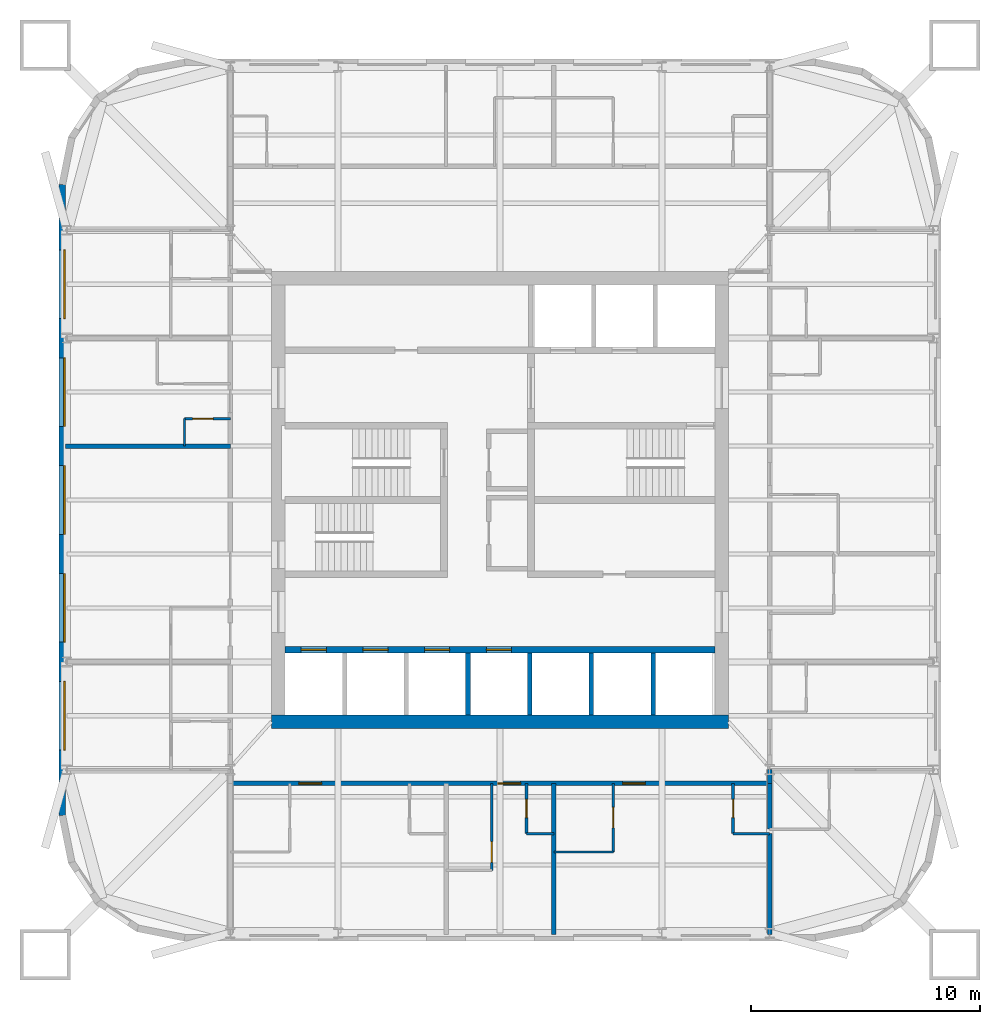
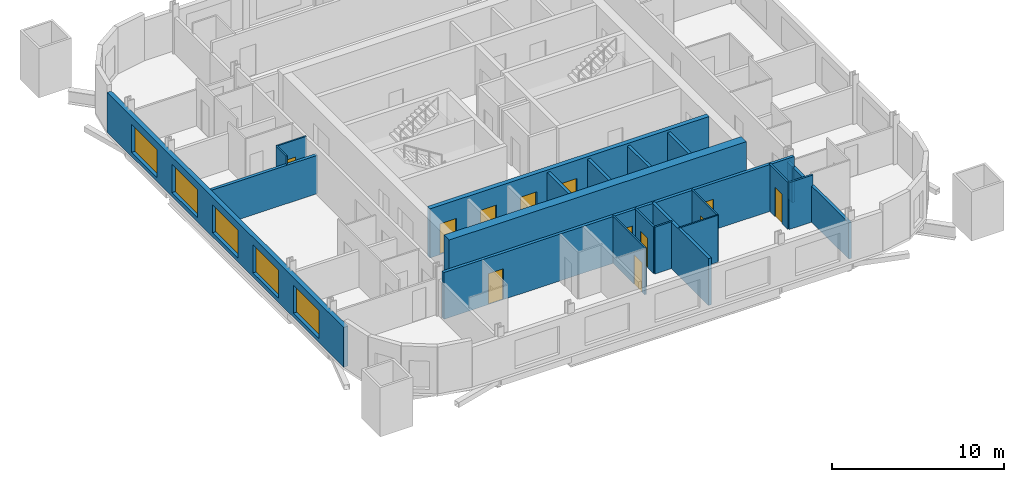
# One storey, part 3 of 8: 22 walls, 12 doors, 5 windows, 17 openings.
"""IFC4 building model written with IfcOpenShell, lengths in metres."""

from ifc_helpers import new_model, si_unit, direction, frame, frame_2d, origin, place, context, subcontext, project, spatial, rectangle, extrude, material, layer, layer_set, type_object, element, fill, save


model = new_model("IFC4")

# Units and contexts
model_context = context("Model", 3, precision=1e-05, world=origin(), true_north=direction((0.0, 1.0)))
body_context = subcontext(model_context, "Body", "Model", "MODEL_VIEW")
ifc_project = project(units=[si_unit("LENGTHUNIT", "METRE"), si_unit("AREAUNIT", "SQUARE_METRE"), si_unit("VOLUMEUNIT", "CUBIC_METRE"), si_unit("PLANEANGLEUNIT", "RADIAN"), si_unit("MASSUNIT", "GRAM", prefix="KILO")], contexts=[model_context])

# Site, building, storey
site_placement = place(None, origin())
site = spatial("IfcSite", under=ifc_project, at=site_placement, CompositionType="ELEMENT")
building_placement = place(site_placement, origin())
building = spatial("IfcBuilding", under=site, at=building_placement, Name="Turquesa Mirador Hotel Tower", CompositionType="ELEMENT")
storey_placement = place(building_placement, frame((0.0, 0.0, 168.800048828125)))
storey = spatial("IfcBuildingStorey", under=building, at=storey_placement, Name="L45", CompositionType="ELEMENT", Elevation=168.800048828125)

# Wall
ifc_material_1 = material(Name="Gypsum board on steel studs", Category="steel")
ifc_layer_1 = layer(ifc_material_1, 0.10009765625)
ifc_layer_set_1 = layer_set([ifc_layer_1], Name="BATHROOM WALL 100")
wall_type_1 = type_object("IfcWallType", Name="BATHROOM WALL 100", PredefinedType="PARTITIONING", material=ifc_layer_set_1)
wall_1_placement = place(storey_placement, frame((57.360107421875, 29.60009765625, 0.0), z_axis=(0.0, 0.0, 1.0), x_axis=(1.0, 0.0, 0.0)))
element("IfcWall", 1, at=wall_1_placement, inside=storey, type_object=wall_type_1, Name="Partition L45 010", PredefinedType="PARTITIONING", context=body_context, shape_type="SweptSolid", body=[
    extrude(rectangle(XDim=2.599853515625, YDim=0.10009765625, at=frame_2d((1.2998046875, 0.0))), origin(), (0.0, 0.0, 1.0), 3.329833984375),
])

# Wall, opening, door
wall_2_placement = place(storey_placement, frame((41.199951171875, 48.56005859375, 0.0), z_axis=(0.0, 0.0, 1.0), x_axis=(1.0, 0.0, 0.0)))
wall_2 = element("IfcWall", 2, at=wall_2_placement, inside=storey, type_object=wall_type_1, Name="Partition L45 032", PredefinedType="PARTITIONING", context=body_context, shape_type="SweptSolid", body=[
    extrude(rectangle(XDim=2.0, YDim=0.10009765625, at=frame_2d((1.0, 0.0))), origin(), (0.0, 0.0, 1.0), 3.329833984375),
])
opening_1_placement = place(wall_2_placement, frame((0.35009765625, 0.0, 0.0)))
opening_1 = element("IfcOpeningElement", 3, at=opening_1_placement, cuts=wall_2, Name="Opening D06", PredefinedType="OPENING", context=body_context, shape_type="SweptSolid", body=[
    extrude(rectangle(XDim=0.89990234375, YDim=2.10009765625, at=frame_2d((0.449951171875, 1.050048828125))), frame((0.0, 0.06005859375, 0.0), z_axis=(0.0, -1.0, 0.0), x_axis=(1.0, 0.0, 0.0)), (0.0, 0.0, 1.0), 0.1201171875),
])
ifc_material_2 = material(Name="Laminate door", Category="wood")
door_type_1 = type_object("IfcDoorType", Name="DOOR 900X2100 WC", OperationType="SINGLE_SWING_LEFT", PredefinedType="DOOR", material=ifc_material_2)
door_1_placement = place(opening_1_placement, origin())
door_1 = element("IfcDoor", 4, at=door_1_placement, inside=storey, type_object=door_type_1, Name="Door 4508W", OperationType="SINGLE_SWING_LEFT", OverallHeight=2.10009765625, OverallWidth=0.89990234375, PredefinedType="DOOR", context=body_context, shape_type="SweptSolid", body=[
    extrude(rectangle(XDim=0.89990234375, YDim=2.10009765625, at=frame_2d((0.449951171875, 1.050048828125))), frame((0.0, 0.02490234375, 0.0), z_axis=(0.0, -1.0, 0.0), x_axis=(1.0, 0.0, 0.0)), (0.0, 0.0, 1.0), 0.050048828125),
])
fill(opening_1, door_1)

wall_3_placement = place(storey_placement, frame((54.639892578125, 28.800048828125, 0.0), z_axis=(0.0, 0.0, 1.0), x_axis=(0.0, 1.0, 0.0)))
wall_3 = element("IfcWall", 5, at=wall_3_placement, inside=storey, type_object=wall_type_1, Name="Partition L45 040", PredefinedType="PARTITIONING", context=body_context, shape_type="SweptSolid", body=[
    extrude(rectangle(XDim=3.800048828125, YDim=0.10009765625, at=frame_2d((1.89990234375, 0.0))), origin(), (0.0, 0.0, 1.0), 3.329833984375),
])
opening_2_placement = place(wall_3_placement, frame((0.35009765625, 0.0, 0.0)))
opening_2 = element("IfcOpeningElement", 6, at=opening_2_placement, cuts=wall_3, Name="Opening D02", PredefinedType="OPENING", context=body_context, shape_type="SweptSolid", body=[
    extrude(rectangle(XDim=0.89990234375, YDim=2.10009765625, at=frame_2d((0.449951171875, 1.050048828125))), frame((0.0, 0.06005859375, 0.0), z_axis=(0.0, -1.0, 0.0), x_axis=(1.0, 0.0, 0.0)), (0.0, 0.0, 1.0), 0.1201171875),
])
ifc_material_3 = material(Name="Timber veneered door", Category="wood")
door_type_2 = type_object("IfcDoorType", Name="DOOR 900X2100 EN-SUITE", OperationType="SINGLE_SWING_RIGHT", PredefinedType="DOOR", material=ifc_material_3)
door_2_placement = place(opening_2_placement, origin())
door_2 = element("IfcDoor", 7, at=door_2_placement, inside=storey, type_object=door_type_2, Name="Door 4504B", OperationType="SINGLE_SWING_RIGHT", OverallHeight=2.10009765625, OverallWidth=0.89990234375, PredefinedType="DOOR", context=body_context, shape_type="SweptSolid", body=[
    extrude(rectangle(XDim=0.89990234375, YDim=2.10009765625, at=frame_2d((0.449951171875, 1.050048828125))), frame((0.0, 0.02490234375, 0.0), z_axis=(0.0, -1.0, 0.0), x_axis=(1.0, 0.0, 0.0)), (0.0, 0.0, 1.0), 0.050048828125),
])
fill(opening_2, door_2)

# Wall
wall_4_placement = place(storey_placement, frame((41.199951171875, 47.360107421875, 0.0), z_axis=(0.0, 0.0, 1.0), x_axis=(0.0, 1.0, 0.0)))
element("IfcWall", 8, at=wall_4_placement, inside=storey, type_object=wall_type_1, Name="Partition L45 045", PredefinedType="PARTITIONING", context=body_context, shape_type="SweptSolid", body=[
    extrude(rectangle(XDim=1.199951171875, YDim=0.10009765625, at=frame_2d((0.60009765625, 0.0))), origin(), (0.0, 0.0, 1.0), 3.329833984375),
])

# Wall, opening, door
wall_5_placement = place(storey_placement, frame((59.9599609375, 29.60009765625, 0.0), z_axis=(0.0, 0.0, 1.0), x_axis=(0.0, 1.0, 0.0)))
wall_5 = element("IfcWall", 9, at=wall_5_placement, inside=storey, type_object=wall_type_1, Name="Partition L45 071", PredefinedType="PARTITIONING", context=body_context, shape_type="SweptSolid", body=[
    extrude(rectangle(XDim=3.0, YDim=0.10009765625, at=frame_2d((1.5, 0.0))), origin(), (0.0, 0.0, 1.0), 3.329833984375),
])
opening_3_placement = place(wall_5_placement, frame((1.050048828125, 0.0, 0.0)))
opening_3 = element("IfcOpeningElement", 10, at=opening_3_placement, cuts=wall_5, Name="Opening D02", PredefinedType="OPENING", context=body_context, shape_type="SweptSolid", body=[
    extrude(rectangle(XDim=0.89990234375, YDim=2.10009765625, at=frame_2d((0.449951171875, 1.050048828125))), frame((0.0, 0.06005859375, 0.0), z_axis=(0.0, -1.0, 0.0), x_axis=(1.0, 0.0, 0.0)), (0.0, 0.0, 1.0), 0.1201171875),
])
door_3_placement = place(opening_3_placement, origin())
door_3 = element("IfcDoor", 11, at=door_3_placement, inside=storey, type_object=door_type_2, Name="Door 4505B", OperationType="SINGLE_SWING_RIGHT", OverallHeight=2.10009765625, OverallWidth=0.89990234375, PredefinedType="DOOR", context=body_context, shape_type="SweptSolid", body=[
    extrude(rectangle(XDim=0.89990234375, YDim=2.10009765625, at=frame_2d((0.449951171875, 1.050048828125))), frame((0.0, 0.02490234375, 0.0), z_axis=(0.0, -1.0, 0.0), x_axis=(1.0, 0.0, 0.0)), (0.0, 0.0, 1.0), 0.050048828125),
])
fill(opening_3, door_3)

# Wall, openings, doors
ifc_material_4 = material(Name="Concrete C50/60", Category="concrete")
ifc_layer_2 = layer(ifc_material_4, 0.300048828125)
ifc_layer_set_2 = layer_set([ifc_layer_2], Name="CORE INNER WALL 300")
wall_type_2 = type_object("IfcWallType", Name="CORE INNER WALL 300", PredefinedType="SHEAR", material=ifc_layer_set_2)
wall_6_placement = place(storey_placement, frame((45.60009765625, 38.449951171875, 0.0), z_axis=(0.0, 0.0, 1.0), x_axis=(1.0, 0.0, 0.0)))
wall_6 = element("IfcWall", 12, at=wall_6_placement, inside=storey, type_object=wall_type_2, Name="Core wall SL", PredefinedType="SHEAR", context=body_context, shape_type="SweptSolid", body=[
    extrude(rectangle(XDim=18.7998046875, YDim=0.300048828125, at=frame_2d((9.39990234375, 0.0))), origin(), (0.0, 0.0, 1.0), 3.5),
])
opening_4_placement = place(wall_6_placement, frame((0.699951171875, 0.0, 0.0)))
opening_4 = element("IfcOpeningElement", 13, at=opening_4_placement, cuts=wall_6, Name="Opening LD", PredefinedType="OPENING", context=body_context, shape_type="SweptSolid", body=[
    extrude(rectangle(XDim=1.10009765625, YDim=2.199951171875, at=frame_2d((0.550048828125, 1.10009765625))), frame((0.0, 0.159912109375, 0.0), z_axis=(0.0, -1.0, 0.0), x_axis=(1.0, 0.0, 0.0)), (0.0, 0.0, 1.0), 0.320068359375),
])
opening_5_placement = place(wall_6_placement, frame((3.39990234375, 0.0, 0.0)))
opening_5 = element("IfcOpeningElement", 14, at=opening_5_placement, cuts=wall_6, Name="Opening LD", PredefinedType="OPENING", context=body_context, shape_type="SweptSolid", body=[
    extrude(rectangle(XDim=1.10009765625, YDim=2.199951171875, at=frame_2d((0.550048828125, 1.10009765625))), frame((0.0, 0.159912109375, 0.0), z_axis=(0.0, -1.0, 0.0), x_axis=(1.0, 0.0, 0.0)), (0.0, 0.0, 1.0), 0.320068359375),
])
opening_6_placement = place(wall_6_placement, frame((6.10009765625, 0.0, 0.0)))
opening_6 = element("IfcOpeningElement", 15, at=opening_6_placement, cuts=wall_6, Name="Opening LD", PredefinedType="OPENING", context=body_context, shape_type="SweptSolid", body=[
    extrude(rectangle(XDim=1.10009765625, YDim=2.199951171875, at=frame_2d((0.550048828125, 1.10009765625))), frame((0.0, 0.159912109375, 0.0), z_axis=(0.0, -1.0, 0.0), x_axis=(1.0, 0.0, 0.0)), (0.0, 0.0, 1.0), 0.320068359375),
])
opening_7_placement = place(wall_6_placement, frame((8.800048828125, 0.0, 0.0)))
opening_7 = element("IfcOpeningElement", 16, at=opening_7_placement, cuts=wall_6, Name="Opening LD", PredefinedType="OPENING", context=body_context, shape_type="SweptSolid", body=[
    extrude(rectangle(XDim=1.10009765625, YDim=2.199951171875, at=frame_2d((0.550048828125, 1.10009765625))), frame((0.0, 0.159912109375, 0.0), z_axis=(0.0, -1.0, 0.0), x_axis=(1.0, 0.0, 0.0)), (0.0, 0.0, 1.0), 0.320068359375),
])
ifc_material_5 = material(Name="Stainless steel lift landing door", Category="steel")
door_type_3 = type_object("IfcDoorType", Name="LIFT LANDING DOOR 1100X2200", OperationType="SLIDING_TO_LEFT", PredefinedType="DOOR", material=ifc_material_5)
door_4_placement = place(opening_4_placement, origin())
door_4 = element("IfcDoor", 17, at=door_4_placement, inside=storey, type_object=door_type_3, Name="Lift B1 landing door", OperationType="SLIDING_TO_LEFT", OverallHeight=2.199951171875, OverallWidth=1.10009765625, PredefinedType="DOOR", context=body_context, shape_type="SweptSolid", body=[
    extrude(rectangle(XDim=1.10009765625, YDim=2.199951171875, at=frame_2d((0.550048828125, 1.10009765625))), frame((0.0, 0.02490234375, 0.0), z_axis=(0.0, -1.0, 0.0), x_axis=(1.0, 0.0, 0.0)), (0.0, 0.0, 1.0), 0.050048828125),
])
fill(opening_4, door_4)
door_5_placement = place(opening_5_placement, origin())
door_5 = element("IfcDoor", 18, at=door_5_placement, inside=storey, type_object=door_type_3, Name="Lift B2 landing door", OperationType="SLIDING_TO_LEFT", OverallHeight=2.199951171875, OverallWidth=1.10009765625, PredefinedType="DOOR", context=body_context, shape_type="SweptSolid", body=[
    extrude(rectangle(XDim=1.10009765625, YDim=2.199951171875, at=frame_2d((0.550048828125, 1.10009765625))), frame((0.0, 0.02490234375, 0.0), z_axis=(0.0, -1.0, 0.0), x_axis=(1.0, 0.0, 0.0)), (0.0, 0.0, 1.0), 0.050048828125),
])
fill(opening_5, door_5)
door_6_placement = place(opening_6_placement, origin())
door_6 = element("IfcDoor", 19, at=door_6_placement, inside=storey, type_object=door_type_3, Name="Lift B3 landing door", OperationType="SLIDING_TO_LEFT", OverallHeight=2.199951171875, OverallWidth=1.10009765625, PredefinedType="DOOR", context=body_context, shape_type="SweptSolid", body=[
    extrude(rectangle(XDim=1.10009765625, YDim=2.199951171875, at=frame_2d((0.550048828125, 1.10009765625))), frame((0.0, 0.02490234375, 0.0), z_axis=(0.0, -1.0, 0.0), x_axis=(1.0, 0.0, 0.0)), (0.0, 0.0, 1.0), 0.050048828125),
])
fill(opening_6, door_6)
door_7_placement = place(opening_7_placement, origin())
door_7 = element("IfcDoor", 20, at=door_7_placement, inside=storey, type_object=door_type_3, Name="Lift B4 landing door", OperationType="SLIDING_TO_LEFT", OverallHeight=2.199951171875, OverallWidth=1.10009765625, PredefinedType="DOOR", context=body_context, shape_type="SweptSolid", body=[
    extrude(rectangle(XDim=1.10009765625, YDim=2.199951171875, at=frame_2d((0.550048828125, 1.10009765625))), frame((0.0, 0.02490234375, 0.0), z_axis=(0.0, -1.0, 0.0), x_axis=(1.0, 0.0, 0.0)), (0.0, 0.0, 1.0), 0.050048828125),
])
fill(opening_7, door_7)

# Wall
ifc_material_6 = material(Name="Concrete C50/60", Category="concrete")
ifc_layer_3 = layer(ifc_material_6, 0.60009765625)
ifc_layer_set_3 = layer_set([ifc_layer_3], Name="CORE WALL 600")
wall_type_3 = type_object("IfcWallType", Name="CORE WALL 600", PredefinedType="SHEAR", material=ifc_layer_set_3)
wall_7_placement = place(storey_placement, frame((45.0, 35.300048828125, 0.0), z_axis=(0.0, 0.0, 1.0), x_axis=(1.0, 0.0, 0.0)))
element("IfcWall", 21, at=wall_7_placement, inside=storey, type_object=wall_type_3, Name="Core wall S", PredefinedType="SHEAR", context=body_context, shape_type="SweptSolid", body=[
    extrude(rectangle(XDim=20.0, YDim=0.60009765625, at=frame_2d((10.0, 0.0))), origin(), (0.0, 0.0, 1.0), 3.5),
])

# Wall, openings, doors
ifc_material_7 = material(Name="Fire-rated gypsum board on steel studs", Category="steel")
ifc_layer_4 = layer(ifc_material_7, 0.199951171875)
ifc_layer_set_4 = layer_set([ifc_layer_4], Name="CORRIDOR WALL 200")
wall_type_4 = type_object("IfcWallType", Name="CORRIDOR WALL 200", PredefinedType="PARTITIONING", material=ifc_layer_set_4)
wall_8_placement = place(storey_placement, frame((43.199951171875, 32.60009765625, 0.0), z_axis=(0.0, 0.0, 1.0), x_axis=(1.0, 0.0, 0.0)))
wall_8 = element("IfcWall", 22, at=wall_8_placement, inside=storey, type_object=wall_type_4, Name="Partition L45 004", PredefinedType="PARTITIONING", context=body_context, shape_type="SweptSolid", body=[
    extrude(rectangle(XDim=23.60009765625, YDim=0.199951171875, at=frame_2d((11.800048828125, 0.0))), origin(), (0.0, 0.0, 1.0), 3.329833984375),
])
opening_8_placement = place(wall_8_placement, frame((3.0, 0.0, 0.0)))
opening_8 = element("IfcOpeningElement", 23, at=opening_8_placement, cuts=wall_8, Name="Opening D01", PredefinedType="OPENING", context=body_context, shape_type="SweptSolid", body=[
    extrude(rectangle(XDim=1.0, YDim=2.199951171875, at=frame_2d((0.5, 1.10009765625))), frame((0.0, 0.10986328125, 0.0), z_axis=(0.0, -1.0, 0.0), x_axis=(1.0, 0.0, 0.0)), (0.0, 0.0, 1.0), 0.219970703125),
])
opening_9_placement = place(wall_8_placement, frame((11.699951171875, 0.0, 0.0)))
opening_9 = element("IfcOpeningElement", 24, at=opening_9_placement, cuts=wall_8, Name="Opening D01", PredefinedType="OPENING", context=body_context, shape_type="SweptSolid", body=[
    extrude(rectangle(XDim=1.0, YDim=2.199951171875, at=frame_2d((0.5, 1.10009765625))), frame((0.0, 0.10986328125, 0.0), z_axis=(0.0, -1.0, 0.0), x_axis=(1.0, 0.0, 0.0)), (0.0, 0.0, 1.0), 0.219970703125),
])
opening_10_placement = place(wall_8_placement, frame((17.159912109375, 0.0, 0.0)))
opening_10 = element("IfcOpeningElement", 25, at=opening_10_placement, cuts=wall_8, Name="Opening D01", PredefinedType="OPENING", context=body_context, shape_type="SweptSolid", body=[
    extrude(rectangle(XDim=1.0, YDim=2.199951171875, at=frame_2d((0.5, 1.10009765625))), frame((0.0, 0.10986328125, 0.0), z_axis=(0.0, -1.0, 0.0), x_axis=(1.0, 0.0, 0.0)), (0.0, 0.0, 1.0), 0.219970703125),
])
ifc_material_8 = material(Name="Timber veneered fire door", Category="wood")
door_type_4 = type_object("IfcDoorType", Name="DOOR 1000X2200 GUEST ENTRY", OperationType="SINGLE_SWING_LEFT", PredefinedType="DOOR", material=ifc_material_8)
door_8_placement = place(opening_8_placement, origin())
door_8 = element("IfcDoor", 26, at=door_8_placement, inside=storey, type_object=door_type_4, Name="Door 4503", OperationType="SINGLE_SWING_LEFT", OverallHeight=2.199951171875, OverallWidth=1.0, PredefinedType="DOOR", context=body_context, shape_type="SweptSolid", body=[
    extrude(rectangle(XDim=1.0, YDim=2.199951171875, at=frame_2d((0.5, 1.10009765625))), frame((0.0, 0.02490234375, 0.0), z_axis=(0.0, -1.0, 0.0), x_axis=(1.0, 0.0, 0.0)), (0.0, 0.0, 1.0), 0.050048828125),
])
fill(opening_8, door_8)
door_9_placement = place(opening_9_placement, origin())
door_9 = element("IfcDoor", 27, at=door_9_placement, inside=storey, type_object=door_type_4, Name="Door 4504", OperationType="SINGLE_SWING_LEFT", OverallHeight=2.199951171875, OverallWidth=1.0, PredefinedType="DOOR", context=body_context, shape_type="SweptSolid", body=[
    extrude(rectangle(XDim=1.0, YDim=2.199951171875, at=frame_2d((0.5, 1.10009765625))), frame((0.0, 0.02490234375, 0.0), z_axis=(0.0, -1.0, 0.0), x_axis=(1.0, 0.0, 0.0)), (0.0, 0.0, 1.0), 0.050048828125),
])
fill(opening_9, door_9)
door_10_placement = place(opening_10_placement, origin())
door_10 = element("IfcDoor", 28, at=door_10_placement, inside=storey, type_object=door_type_4, Name="Door 4505", OperationType="SINGLE_SWING_LEFT", OverallHeight=2.199951171875, OverallWidth=1.0, PredefinedType="DOOR", context=body_context, shape_type="SweptSolid", body=[
    extrude(rectangle(XDim=1.0, YDim=2.199951171875, at=frame_2d((0.5, 1.10009765625))), frame((0.0, 0.02490234375, 0.0), z_axis=(0.0, -1.0, 0.0), x_axis=(1.0, 0.0, 0.0)), (0.0, 0.0, 1.0), 0.050048828125),
])
fill(opening_10, door_10)

# Wall
wall_9_placement = place(storey_placement, frame((66.800048828125, 32.60009765625, 0.0), z_axis=(0.0, 0.0, 1.0), x_axis=(0.0, 1.0, 0.0)))
element("IfcWall", 29, at=wall_9_placement, inside=storey, type_object=wall_type_4, Name="Partition L45 075", PredefinedType="PARTITIONING", context=body_context, shape_type="SweptSolid", body=[
    extrude(rectangle(XDim=0.619873046875, YDim=0.199951171875, at=frame_2d((0.31005859375, 0.0))), origin(), (0.0, 0.0, 1.0), 2.572998046875),
])

# Wall, openings, windows
ifc_material_9 = material(Name="Limestone cladding on concrete block", Category="masonry")
ifc_layer_5 = layer(ifc_material_9, 0.300048828125)
ifc_layer_set_5 = layer_set([ifc_layer_5], Name="FACADE WALL 300 STONE SCREEN")
wall_type_5 = type_object("IfcWallType", Name="FACADE WALL 300 STONE SCREEN", PredefinedType="SOLIDWALL", material=ifc_layer_set_5)
wall_10_placement = place(storey_placement, frame((35.85009765625, 58.800048828125, 0.0), z_axis=(0.0, 0.0, 1.0), x_axis=(0.0, -1.0, 0.0)))
wall_10 = element("IfcWall", 30, at=wall_10_placement, inside=storey, type_object=wall_type_5, Name="Facade wall L45 14", PredefinedType="SOLIDWALL", context=body_context, shape_type="SweptSolid", body=[
    extrude(rectangle(XDim=27.60009765625, YDim=0.300048828125, at=frame_2d((13.800048828125, 0.0))), origin(), (0.0, 0.0, 1.0), 2.829833984375),
])
opening_11_placement = place(wall_10_placement, frame((2.860107421875, 0.0, 0.300048828125)))
opening_11 = element("IfcOpeningElement", 31, at=opening_11_placement, cuts=wall_10, Name="Opening WN1", PredefinedType="OPENING", context=body_context, shape_type="SweptSolid", body=[
    extrude(rectangle(XDim=3.0, YDim=2.0, at=frame_2d((1.5, 1.0))), frame((0.0, 0.159912109375, 0.0), z_axis=(0.0, -1.0, 0.0), x_axis=(1.0, 0.0, 0.0)), (0.0, 0.0, 1.0), 0.320068359375),
])
opening_12_placement = place(wall_10_placement, frame((7.580078125, 0.0, 0.300048828125)))
opening_12 = element("IfcOpeningElement", 32, at=opening_12_placement, cuts=wall_10, Name="Opening WN1", PredefinedType="OPENING", context=body_context, shape_type="SweptSolid", body=[
    extrude(rectangle(XDim=3.0, YDim=2.0, at=frame_2d((1.5, 1.0))), frame((0.0, 0.159912109375, 0.0), z_axis=(0.0, -1.0, 0.0), x_axis=(1.0, 0.0, 0.0)), (0.0, 0.0, 1.0), 0.320068359375),
])
opening_13_placement = place(wall_10_placement, frame((12.300048828125, 0.0, 0.300048828125)))
opening_13 = element("IfcOpeningElement", 33, at=opening_13_placement, cuts=wall_10, Name="Opening WN1", PredefinedType="OPENING", context=body_context, shape_type="SweptSolid", body=[
    extrude(rectangle(XDim=3.0, YDim=2.0, at=frame_2d((1.5, 1.0))), frame((0.0, 0.159912109375, 0.0), z_axis=(0.0, -1.0, 0.0), x_axis=(1.0, 0.0, 0.0)), (0.0, 0.0, 1.0), 0.320068359375),
])
opening_14_placement = place(wall_10_placement, frame((17.02001953125, 0.0, 0.300048828125)))
opening_14 = element("IfcOpeningElement", 34, at=opening_14_placement, cuts=wall_10, Name="Opening WN1", PredefinedType="OPENING", context=body_context, shape_type="SweptSolid", body=[
    extrude(rectangle(XDim=3.0, YDim=2.0, at=frame_2d((1.5, 1.0))), frame((0.0, 0.159912109375, 0.0), z_axis=(0.0, -1.0, 0.0), x_axis=(1.0, 0.0, 0.0)), (0.0, 0.0, 1.0), 0.320068359375),
])
opening_15_placement = place(wall_10_placement, frame((21.739990234375, 0.0, 0.300048828125)))
opening_15 = element("IfcOpeningElement", 35, at=opening_15_placement, cuts=wall_10, Name="Opening WN1", PredefinedType="OPENING", context=body_context, shape_type="SweptSolid", body=[
    extrude(rectangle(XDim=3.0, YDim=2.0, at=frame_2d((1.5, 1.0))), frame((0.0, 0.159912109375, 0.0), z_axis=(0.0, -1.0, 0.0), x_axis=(1.0, 0.0, 0.0)), (0.0, 0.0, 1.0), 0.320068359375),
])
ifc_material_10 = material(Name="Ceramic-fritted laminated glass", Category="glass")
window_type = type_object("IfcWindowType", Name="FRITTED WINDOW 3000X2000", PartitioningType="DOUBLE_PANEL_HORIZONTAL", PredefinedType="WINDOW", material=ifc_material_10)
window_1_placement = place(opening_11_placement, origin())
window_1 = element("IfcWindow", 36, at=window_1_placement, inside=storey, type_object=window_type, Name="Window L45", OverallHeight=2.0, OverallWidth=3.0, PartitioningType="SINGLE_PANEL", PredefinedType="WINDOW", context=body_context, shape_type="SweptSolid", body=[
    extrude(rectangle(XDim=3.0, YDim=2.0, at=frame_2d((1.5, 1.0))), frame((0.0, 0.130126953125, 0.0), z_axis=(0.0, -1.0, 0.0), x_axis=(1.0, 0.0, 0.0)), (0.0, 0.0, 1.0), 0.06005859375),
])
fill(opening_11, window_1)
window_2_placement = place(opening_12_placement, origin())
window_2 = element("IfcWindow", 37, at=window_2_placement, inside=storey, type_object=window_type, Name="Window L45", OverallHeight=2.0, OverallWidth=3.0, PartitioningType="SINGLE_PANEL", PredefinedType="WINDOW", context=body_context, shape_type="SweptSolid", body=[
    extrude(rectangle(XDim=3.0, YDim=2.0, at=frame_2d((1.5, 1.0))), frame((0.0, 0.130126953125, 0.0), z_axis=(0.0, -1.0, 0.0), x_axis=(1.0, 0.0, 0.0)), (0.0, 0.0, 1.0), 0.06005859375),
])
fill(opening_12, window_2)
window_3_placement = place(opening_13_placement, origin())
window_3 = element("IfcWindow", 38, at=window_3_placement, inside=storey, type_object=window_type, Name="Window L45", OverallHeight=2.0, OverallWidth=3.0, PartitioningType="SINGLE_PANEL", PredefinedType="WINDOW", context=body_context, shape_type="SweptSolid", body=[
    extrude(rectangle(XDim=3.0, YDim=2.0, at=frame_2d((1.5, 1.0))), frame((0.0, 0.130126953125, 0.0), z_axis=(0.0, -1.0, 0.0), x_axis=(1.0, 0.0, 0.0)), (0.0, 0.0, 1.0), 0.06005859375),
])
fill(opening_13, window_3)
window_4_placement = place(opening_14_placement, origin())
window_4 = element("IfcWindow", 39, at=window_4_placement, inside=storey, type_object=window_type, Name="Window L45", OverallHeight=2.0, OverallWidth=3.0, PartitioningType="SINGLE_PANEL", PredefinedType="WINDOW", context=body_context, shape_type="SweptSolid", body=[
    extrude(rectangle(XDim=3.0, YDim=2.0, at=frame_2d((1.5, 1.0))), frame((0.0, 0.130126953125, 0.0), z_axis=(0.0, -1.0, 0.0), x_axis=(1.0, 0.0, 0.0)), (0.0, 0.0, 1.0), 0.06005859375),
])
fill(opening_14, window_4)
window_5_placement = place(opening_15_placement, origin())
window_5 = element("IfcWindow", 40, at=window_5_placement, inside=storey, type_object=window_type, Name="Window L45", OverallHeight=2.0, OverallWidth=3.0, PartitioningType="SINGLE_PANEL", PredefinedType="WINDOW", context=body_context, shape_type="SweptSolid", body=[
    extrude(rectangle(XDim=3.0, YDim=2.0, at=frame_2d((1.5, 1.0))), frame((0.0, 0.130126953125, 0.0), z_axis=(0.0, -1.0, 0.0), x_axis=(1.0, 0.0, 0.0)), (0.0, 0.0, 1.0), 0.06005859375),
])
fill(opening_15, window_5)

# Walls
ifc_material_11 = material(Name="Fire-rated gypsum shaft wall on steel studs", Category="steel")
ifc_layer_6 = layer(ifc_material_11, 0.199951171875)
ifc_layer_set_6 = layer_set([ifc_layer_6], Name="LIFT SHAFT DIVIDER 200")
wall_type_6 = type_object("IfcWallType", Name="LIFT SHAFT DIVIDER 200", PredefinedType="PARTITIONING", material=ifc_layer_set_6)
for number, where, z_axis, x_axis, name in (
    (41, (53.60009765625, 35.60009765625, 0.0), (0.0, 0.0, 1.0), (0.0, 1.0, 0.0), "Lift shaft divider"),
    (42, (56.300048828125, 35.60009765625, 0.0), (0.0, 0.0, 1.0), (0.0, 1.0, 0.0), "Lift shaft divider"),
    (43, (59.0, 35.60009765625, 0.0), (0.0, 0.0, 1.0), (0.0, 1.0, 0.0), "Lift shaft divider"),
    (44, (61.699951171875, 35.60009765625, 0.0), (0.0, 0.0, 1.0), (0.0, 1.0, 0.0), "Lift shaft divider"),
):
    element("IfcWall", number, at=place(storey_placement, frame(where, z_axis=z_axis, x_axis=x_axis)), inside=storey, type_object=wall_type_6, Name=name, PredefinedType="PARTITIONING", context=body_context, shape_type="SweptSolid", body=[
        extrude(rectangle(XDim=2.699951171875, YDim=0.199951171875, at=frame_2d((1.35009765625, 0.0))), origin(), (0.0, 0.0, 1.0), 3.329833984375),
    ])
ifc_material_12 = material(Name="Fire-rated gypsum board on steel studs", Category="steel")
ifc_layer_7 = layer(ifc_material_12, 0.199951171875)
ifc_layer_set_7 = layer_set([ifc_layer_7], Name="PARTY WALL 200")
wall_type_7 = type_object("IfcWallType", Name="PARTY WALL 200", PredefinedType="PARTITIONING", material=ifc_layer_set_7)
wall_11_placement = place(storey_placement, frame((36.0, 47.360107421875, 0.0), z_axis=(0.0, 0.0, 1.0), x_axis=(1.0, 0.0, 0.0)))
element("IfcWall", 45, at=wall_11_placement, inside=storey, type_object=wall_type_7, Name="Partition L45 031", PredefinedType="PARTITIONING", context=body_context, shape_type="SweptSolid", body=[
    extrude(rectangle(XDim=7.199951171875, YDim=0.199951171875, at=frame_2d((3.60009765625, 0.0))), origin(), (0.0, 0.0, 1.0), 2.73046875),
])
wall_12_placement = place(storey_placement, frame((66.800048828125, 26.0, 0.0), z_axis=(0.0, 0.0, 1.0), x_axis=(0.0, 1.0, 0.0)))
element("IfcWall", 46, at=wall_12_placement, inside=storey, type_object=wall_type_7, Name="Partition L45 059", PredefinedType="PARTITIONING", context=body_context, shape_type="SweptSolid", body=[
    extrude(rectangle(XDim=4.39990234375, YDim=0.199951171875, at=frame_2d((2.199951171875, 0.0))), origin(), (0.0, 0.0, 1.0), 2.572998046875),
])
wall_13_placement = place(storey_placement, frame((66.800048828125, 30.60009765625, 0.0), z_axis=(0.0, 0.0, 1.0), x_axis=(0.0, 1.0, 0.0)))
element("IfcWall", 47, at=wall_13_placement, inside=storey, type_object=wall_type_7, Name="Partition L45 060", PredefinedType="PARTITIONING", context=body_context, shape_type="SweptSolid", body=[
    extrude(rectangle(XDim=2.0, YDim=0.199951171875, at=frame_2d((1.0, 0.0))), origin(), (0.0, 0.0, 1.0), 2.572998046875),
])
wall_14_placement = place(storey_placement, frame((57.360107421875, 26.0, 0.0), z_axis=(0.0, 0.0, 1.0), x_axis=(0.0, 1.0, 0.0)))
element("IfcWall", 48, at=wall_14_placement, inside=storey, type_object=wall_type_7, Name="Partition L45 069", PredefinedType="PARTITIONING", context=body_context, shape_type="SweptSolid", body=[
    extrude(rectangle(XDim=6.60009765625, YDim=0.199951171875, at=frame_2d((3.300048828125, 0.0))), origin(), (0.0, 0.0, 1.0), 3.329833984375),
])
ifc_material_13 = material(Name="Acoustic gypsum board on steel studs", Category="steel")
ifc_layer_8 = layer(ifc_material_13, 0.125)
ifc_layer_set_8 = layer_set([ifc_layer_8], Name="SUITE PARTITION 125")
wall_type_8 = type_object("IfcWallType", Name="SUITE PARTITION 125", PredefinedType="PARTITIONING", material=ifc_layer_set_8)
wall_15_placement = place(storey_placement, frame((56.159912109375, 30.39990234375, 0.0), z_axis=(0.0, 0.0, 1.0), x_axis=(1.0, 0.0, 0.0)))
element("IfcWall", 49, at=wall_15_placement, inside=storey, type_object=wall_type_8, Name="Partition L45 007", PredefinedType="PARTITIONING", context=body_context, shape_type="SweptSolid", body=[
    extrude(rectangle(XDim=1.2001953125, YDim=0.125, at=frame_2d((0.60009765625, 0.0))), origin(), (0.0, 0.0, 1.0), 3.329833984375),
])
wall_16_placement = place(storey_placement, frame((65.199951171875, 30.39990234375, 0.0), z_axis=(0.0, 0.0, 1.0), x_axis=(1.0, 0.0, 0.0)))
element("IfcWall", 50, at=wall_16_placement, inside=storey, type_object=wall_type_8, Name="Partition L45 008", PredefinedType="PARTITIONING", context=body_context, shape_type="SweptSolid", body=[
    extrude(rectangle(XDim=1.60009765625, YDim=0.125, at=frame_2d((0.800048828125, 0.0))), origin(), (0.0, 0.0, 1.0), 3.329833984375),
])

# Wall, opening, door
wall_17_placement = place(storey_placement, frame((56.159912109375, 30.39990234375, 0.0), z_axis=(0.0, 0.0, 1.0), x_axis=(0.0, 1.0, 0.0)))
wall_17 = element("IfcWall", 51, at=wall_17_placement, inside=storey, type_object=wall_type_8, Name="Partition L45 055", PredefinedType="PARTITIONING", context=body_context, shape_type="SweptSolid", body=[
    extrude(rectangle(XDim=2.2001953125, YDim=0.125, at=frame_2d((1.10009765625, 0.0))), origin(), (0.0, 0.0, 1.0), 3.329833984375),
])
opening_16_placement = place(wall_17_placement, frame((0.699951171875, 0.0, 0.0)))
opening_16 = element("IfcOpeningElement", 52, at=opening_16_placement, cuts=wall_17, Name="Opening D20", PredefinedType="OPENING", context=body_context, shape_type="SweptSolid", body=[
    extrude(rectangle(XDim=0.800048828125, YDim=2.10009765625, at=frame_2d((0.39990234375, 1.050048828125))), frame((0.0, 0.072509765625, 0.0), z_axis=(0.0, -1.0, 0.0), x_axis=(1.0, 0.0, 0.0)), (0.0, 0.0, 1.0), 0.14501953125),
])
ifc_material_14 = material(Name="Timber veneered sliding door", Category="wood")
door_type_5 = type_object("IfcDoorType", Name="DOOR 800X2100 WARDROBE", OperationType="SLIDING_TO_LEFT", PredefinedType="DOOR", material=ifc_material_14)
door_11_placement = place(opening_16_placement, origin())
door_11 = element("IfcDoor", 53, at=door_11_placement, inside=storey, type_object=door_type_5, Name="Door 4504W", OperationType="SLIDING_TO_LEFT", OverallHeight=2.10009765625, OverallWidth=0.800048828125, PredefinedType="DOOR", context=body_context, shape_type="SweptSolid", body=[
    extrude(rectangle(XDim=0.800048828125, YDim=2.10009765625, at=frame_2d((0.39990234375, 1.050048828125))), frame((0.0, 0.02490234375, 0.0), z_axis=(0.0, -1.0, 0.0), x_axis=(1.0, 0.0, 0.0)), (0.0, 0.0, 1.0), 0.050048828125),
])
fill(opening_16, door_11)

wall_18_placement = place(storey_placement, frame((65.199951171875, 30.39990234375, 0.0), z_axis=(0.0, 0.0, 1.0), x_axis=(0.0, 1.0, 0.0)))
wall_18 = element("IfcWall", 54, at=wall_18_placement, inside=storey, type_object=wall_type_8, Name="Partition L45 056", PredefinedType="PARTITIONING", context=body_context, shape_type="SweptSolid", body=[
    extrude(rectangle(XDim=2.2001953125, YDim=0.125, at=frame_2d((1.10009765625, 0.0))), origin(), (0.0, 0.0, 1.0), 3.329833984375),
])
opening_17_placement = place(wall_18_placement, frame((0.699951171875, 0.0, 0.0)))
opening_17 = element("IfcOpeningElement", 55, at=opening_17_placement, cuts=wall_18, Name="Opening D20", PredefinedType="OPENING", context=body_context, shape_type="SweptSolid", body=[
    extrude(rectangle(XDim=0.800048828125, YDim=2.10009765625, at=frame_2d((0.39990234375, 1.050048828125))), frame((0.0, 0.072509765625, 0.0), z_axis=(0.0, -1.0, 0.0), x_axis=(1.0, 0.0, 0.0)), (0.0, 0.0, 1.0), 0.14501953125),
])
door_12_placement = place(opening_17_placement, origin())
door_12 = element("IfcDoor", 56, at=door_12_placement, inside=storey, type_object=door_type_5, Name="Door 4505W", OperationType="SLIDING_TO_LEFT", OverallHeight=2.10009765625, OverallWidth=0.800048828125, PredefinedType="DOOR", context=body_context, shape_type="SweptSolid", body=[
    extrude(rectangle(XDim=0.800048828125, YDim=2.10009765625, at=frame_2d((0.39990234375, 1.050048828125))), frame((0.0, 0.02490234375, 0.0), z_axis=(0.0, -1.0, 0.0), x_axis=(1.0, 0.0, 0.0)), (0.0, 0.0, 1.0), 0.050048828125),
])
fill(opening_17, door_12)

save(model, "model.ifc")
